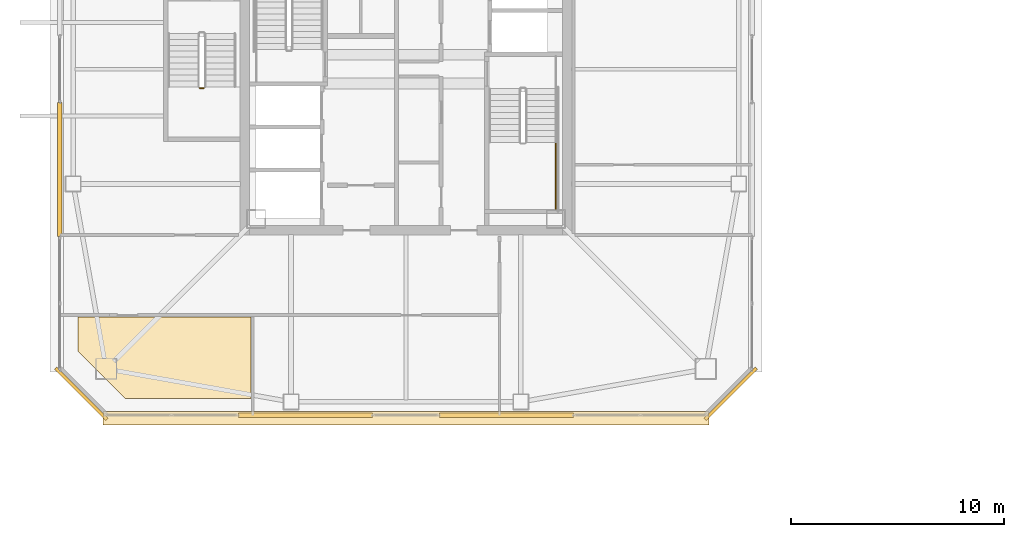
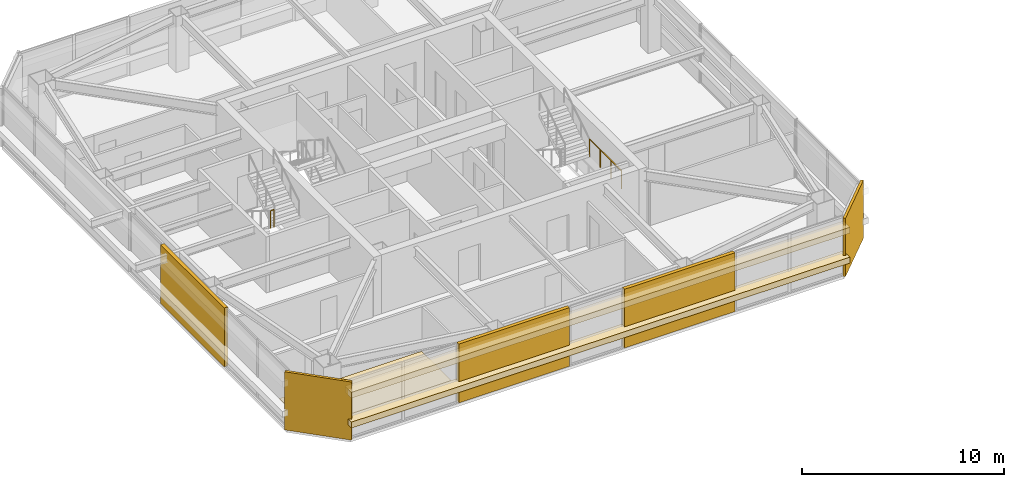
# One storey, part 39 of 44: 8 coverings, 2 railings.
"""IFC4 building model written with IfcOpenShell, lengths in metres."""

from ifc_helpers import new_model, si_unit, direction, frame, origin, origin_2d, place, context, subcontext, project, spatial, polyline, rectangle, outline, extrude, material, layer, layer_set, type_object, element, save


model = new_model("IFC4")

# Units and contexts
model_context = context("Model", 3, precision=1e-05, world=origin(), true_north=direction((0.0, 1.0)))
body_context = subcontext(model_context, "Body", "Model", "MODEL_VIEW")
ifc_project = project(units=[si_unit("LENGTHUNIT", "METRE"), si_unit("AREAUNIT", "SQUARE_METRE"), si_unit("VOLUMEUNIT", "CUBIC_METRE"), si_unit("PLANEANGLEUNIT", "RADIAN"), si_unit("MASSUNIT", "GRAM", prefix="KILO")], contexts=[model_context])

# Site, building, storey
site_placement = place(None, origin())
site = spatial("IfcSite", under=ifc_project, at=site_placement, CompositionType="ELEMENT")
building_placement = place(site_placement, origin())
building = spatial("IfcBuilding", under=site, at=building_placement, Name="Tashvorn Skyway Center", CompositionType="ELEMENT")
storey_placement = place(building_placement, frame((0.0, 0.0, 211.300048828125)))
storey = spatial("IfcBuildingStorey", under=building, at=storey_placement, Name="L57", CompositionType="ELEMENT", Elevation=211.300048828125)

# Coverings
ifc_material_1 = material(Name="Precast concrete C40/50", Category="concrete")
ifc_layer_1 = layer(ifc_material_1, 0.199951171875)
ifc_layer_set_1 = layer_set([ifc_layer_1], Name="Precast concrete C40/50")
covering_type_1 = type_object("IfcCoveringType", Name="COV-BRACE-CLAD", PredefinedType="CLADDING", material=ifc_layer_set_1)
for number, where, z_axis, x_axis, name in (
    (1, (46.726806640625, 15.719970703125, 0.0), (0.0, 0.0, 1.0), (-1.0, 0.0, 0.0), "Tower 1 L57 South Unitised Curtain Wall Mega-Brace Cladding Band 1"),
    (2, (37.273193359375, 15.719970703125, 0.0), (0.0, 0.0, 1.0), (-1.0, 0.0, 0.0), "Tower 1 L57 South Unitised Curtain Wall Mega-Brace Cladding Band 2"),
    (3, (25.719970703125, 27.273193359375, 0.0), (0.0, 0.0, 1.0), (0.0, 1.0, 0.0), "Tower 1 L57 West Unitised Curtain Wall Mega-Brace Cladding Band 1"),
):
    element("IfcCovering", number, at=place(storey_placement, frame(where, z_axis=z_axis, x_axis=x_axis)), inside=storey, type_object=covering_type_1, Name=name, PredefinedType="CLADDING", context=body_context, shape_type="SweptSolid", body=[
        extrude(rectangle(XDim=6.30224609375, YDim=0.199951171875, at=origin_2d()), origin(), (0.0, 0.0, 1.0), 3.550048828125),
    ])
ifc_material_2 = material(Name="Polished Mojave desert-aggregate terrazzo and cover plate")
ifc_layer_2 = layer(ifc_material_2, 0.0400390625)
ifc_layer_set_2 = layer_set([ifc_layer_2], Name="Polished Mojave desert-aggregate terrazzo and cover plate")
covering_type_2 = type_object("IfcCoveringType", Name="COV-FLR-40", PredefinedType="FLOORING", material=ifc_layer_set_2)
covering_placement = place(storey_placement, origin())
element("IfcCovering", 4, at=covering_placement, inside=storey, type_object=covering_type_2, Name="Tower 1 L57 Wellness Clinic Finish Flooring", PredefinedType="FLOORING", context=body_context, shape_type="SweptSolid", body=[
    extrude(outline(polyline([(28.800048828125, 16.5), (26.580078125, 18.719970703125), (26.580078125, 20.35009765625), (34.719970703125, 20.35009765625), (34.719970703125, 16.5), (28.800048828125, 16.5)])), origin(), (0.0, 0.0, 1.0), 0.0400390625),
])
ifc_material_3 = material(Name="Perforated ceramic-coated bronze aluminium solar screen", Category="aluminium")
ifc_layer_3 = layer(ifc_material_3, 0.85009765625)
ifc_layer_set_3 = layer_set([ifc_layer_3], Name="Perforated ceramic-coated bronze aluminium solar screen")
covering_type_3 = type_object("IfcCoveringType", Name="COV-SOLAR-BAND", PredefinedType="CLADDING", material=ifc_layer_set_3)
for number, where, z_axis, x_axis, name in (
    (5, (42.0, 15.580078125, 0.919921875), (0.0, 0.0, 1.0), (-1.0, 0.0, 0.0), "L57 Perforated Ceramic-Metal Solar Screen Louvre Band South 1"),
    (6, (42.0, 15.580078125, 2.7197265625), (0.0, 0.0, 1.0), (-1.0, 0.0, 0.0), "L57 Perforated Ceramic-Metal Solar Screen Louvre Band South 2"),
):
    element("IfcCovering", number, at=place(storey_placement, frame(where, z_axis=z_axis, x_axis=x_axis)), inside=storey, type_object=covering_type_3, Name=name, PredefinedType="CLADDING", context=body_context, shape_type="SweptSolid", body=[
        extrude(rectangle(XDim=28.47998046875, YDim=0.639892578125, at=origin_2d()), origin(), (0.0, 0.0, 1.0), 0.360107421875),
    ])
ifc_layer_4 = layer(ifc_material_1, 0.35009765625)
ifc_layer_set_4 = layer_set([ifc_layer_4], Name="Precast concrete C40/50")
covering_type_4 = type_object("IfcCoveringType", Name="COV-STONE-TRIM", PredefinedType="CLADDING", material=ifc_layer_set_4)
for number, where, z_axis, x_axis, name in (
    (7, (26.72998046875, 16.72998046875, 0.02001953125), (0.0, 0.0, 1.0), (-0.707106781187, 0.707106781187, 0.0), "Tower 1 L57 SW Mojave Limestone Corner Quoin"),
    (8, (57.27001953125, 16.72998046875, 0.02001953125), (0.0, 0.0, 1.0), (0.707106781187, 0.707106781187, 0.0), "Tower 1 L57 SE Mojave Limestone Corner Quoin"),
):
    element("IfcCovering", number, at=place(storey_placement, frame(where, z_axis=z_axis, x_axis=x_axis)), inside=storey, type_object=covering_type_4, Name=name, PredefinedType="CLADDING", context=body_context, shape_type="SweptSolid", body=[
        extrude(rectangle(XDim=3.41259765625, YDim=0.139892578125, at=origin_2d()), origin(), (0.0, 0.0, 1.0), 3.510009765625),
    ])

# Railings
ifc_material_4 = material(Name="Painted galvanized steel S355", Category="steel")
railing_type = type_object("IfcRailingType", Name="RAIL-STGUARD-1100", PredefinedType="GUARDRAIL", material=ifc_material_4)
railing_1_placement = place(storey_placement, frame((49.050048828125, 28.56005859375, 1.77490234375)))
element("IfcRailing", 9, at=railing_1_placement, inside=storey, type_object=railing_type, Name="L57 ST-T1-2 stair guard 3", PredefinedType="GUARDRAIL", context=body_context, shape_type="SweptSolid", body=[
    extrude(rectangle(XDim=0.048095703125, YDim=0.048095703125, at=origin_2d()), frame((0.0, 0.0, 1.076171875), z_axis=(0.0, -1.0, 0.0), x_axis=(1.0, 0.0, 0.0)), (0.0, 0.0, 1.0), 3.16015625),
    extrude(rectangle(XDim=0.0419921875, YDim=0.0419921875, at=origin_2d()), origin(), (0.0, 0.0, 1.0), 1.052001953125),
    extrude(rectangle(XDim=0.0419921875, YDim=0.0419921875, at=origin_2d()), frame((0.0, -1.053466796875, 0.0)), (0.0, 0.0, 1.0), 1.052001953125),
    extrude(rectangle(XDim=0.0419921875, YDim=0.0419921875, at=origin_2d()), frame((0.0, -2.106689453125, 0.0)), (0.0, 0.0, 1.0), 1.052001953125),
    extrude(rectangle(XDim=0.0419921875, YDim=0.0419921875, at=origin_2d()), frame((0.0, -3.16015625, 0.0)), (0.0, 0.0, 1.0), 1.052001953125),
])
railing_2_placement = place(storey_placement, frame((32.300048828125, 31.110107421875, 1.77490234375)))
element("IfcRailing", 10, at=railing_2_placement, inside=storey, type_object=railing_type, Name="L57 ST-T1-3 stair guard 2", PredefinedType="GUARDRAIL", context=body_context, shape_type="SweptSolid", body=[
    extrude(rectangle(XDim=0.048095703125, YDim=0.048095703125, at=origin_2d()), frame((0.0, 0.0, 1.076171875), z_axis=(1.0, 0.0, 0.0), x_axis=(0.0, 1.0, 0.0)), (0.0, 0.0, 1.0), 0.199951171875),
    extrude(rectangle(XDim=0.0419921875, YDim=0.0419921875, at=origin_2d()), origin(), (0.0, 0.0, 1.0), 1.052001953125),
    extrude(rectangle(XDim=0.0419921875, YDim=0.0419921875, at=origin_2d()), frame((0.199951171875, 0.0, 0.0)), (0.0, 0.0, 1.0), 1.052001953125),
])

save(model, "model.ifc")
